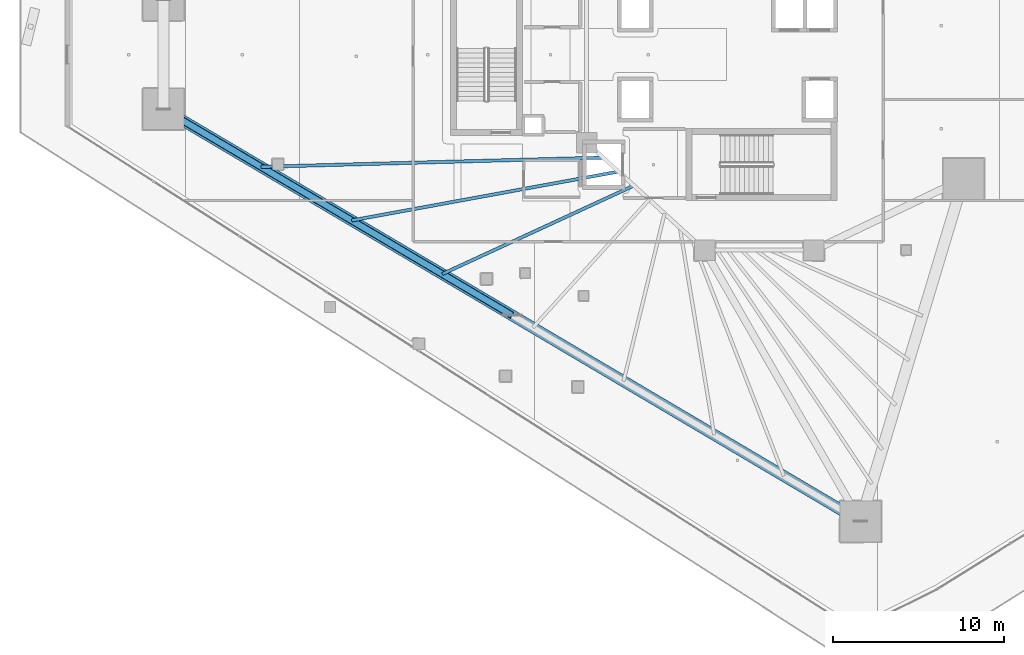
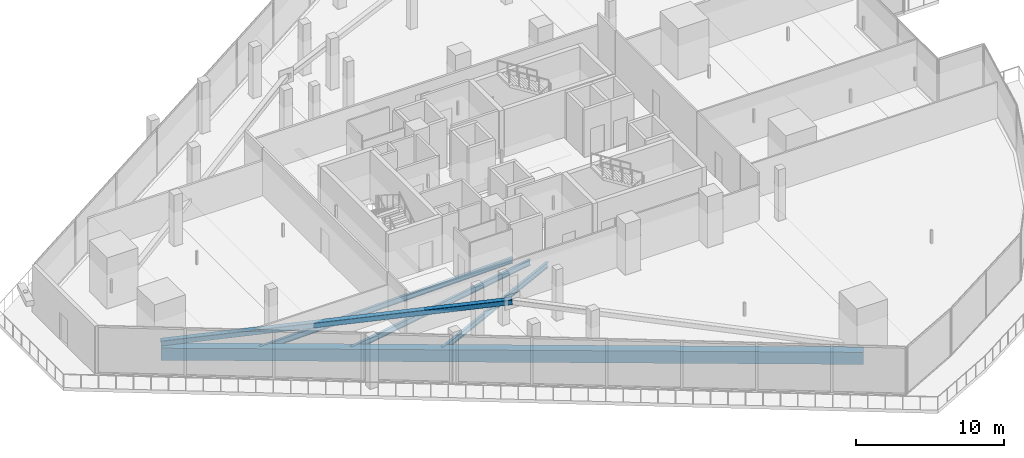
# One storey, part 6 of 43: 4 beams, 1 member.
"""IFC4 building model written with IfcOpenShell, lengths in metres."""

from ifc_helpers import new_model, si_unit, direction, frame, origin, origin_2d, place, context, subcontext, project, spatial, rectangle, hollow_rectangle, i_section, extrude, material, material_profile, profile_set, type_object, element, save


model = new_model("IFC4")

# Units and contexts
model_context = context("Model", 3, precision=1e-05, world=origin(), true_north=direction((0.0, 1.0)))
body_context = subcontext(model_context, "Body", "Model", "MODEL_VIEW")
ifc_project = project(units=[si_unit("LENGTHUNIT", "METRE"), si_unit("AREAUNIT", "SQUARE_METRE"), si_unit("VOLUMEUNIT", "CUBIC_METRE"), si_unit("PLANEANGLEUNIT", "RADIAN"), si_unit("MASSUNIT", "GRAM", prefix="KILO")], contexts=[model_context])

# Site, building, storey
site_placement = place(None, origin())
site = spatial("IfcSite", under=ifc_project, at=site_placement, CompositionType="ELEMENT")
building_placement = place(site_placement, origin())
building = spatial("IfcBuilding", under=site, at=building_placement, Name="Qorvath Tower", CompositionType="ELEMENT")
storey_placement = place(building_placement, frame((0.0, 0.0, 36.60009765625)))
storey = spatial("IfcBuildingStorey", under=building, at=storey_placement, Name="L07", CompositionType="ELEMENT", Elevation=36.60009765625)

# Beams
ifc_material_1 = material(Name="Steel ASTM A992 Grade 50", Category="steel")
ifc_material_profile_1 = material_profile(ifc_material_1, i_section(OverallWidth=0.18994140625, OverallDepth=0.45703125, WebThickness=0.009033203125, FlangeThickness=0.014404296875, FilletRadius=0.011962890625, at=origin_2d()), Name="W18x50")
ifc_profile_set_1 = profile_set([ifc_material_profile_1], Name="Steel ASTM A992 Grade 50")
beam_type_1 = type_object("IfcBeamType", Name="BM-FJ2", PredefinedType="JOIST", material=ifc_profile_set_1)
beam_1_placement = place(storey_placement, frame((-29.533935546875, -6.031982421875, -0.508544921875), z_axis=(-0.999634925413, -0.02701880631, 0.0), x_axis=(0.02701880631, -0.999634925413, 0.0)))
element("IfcBeam", 1, at=beam_1_placement, inside=storey, type_object=beam_type_1, Name="Composite Floor Joist SW1 L07", PredefinedType="JOIST", context=body_context, shape_type="SweptSolid", body=[
    extrude(i_section(OverallWidth=0.18994140625, OverallDepth=0.45703125, WebThickness=0.009033203125, FlangeThickness=0.014404296875, FilletRadius=0.011962890625, at=origin_2d()), origin(), (0.0, 0.0, 1.0), 20.041748046875),
])
beam_2_placement = place(storey_placement, frame((-28.636962890625, -6.85107421875, -0.508544921875), z_axis=(-0.983656498786, -0.180055248176, 0.0), x_axis=(0.180055248176, -0.983656498786, 0.0)))
element("IfcBeam", 2, at=beam_2_placement, inside=storey, type_object=beam_type_1, Name="Composite Floor Joist SW2 L07", PredefinedType="JOIST", context=body_context, shape_type="SweptSolid", body=[
    extrude(i_section(OverallWidth=0.18994140625, OverallDepth=0.45703125, WebThickness=0.009033203125, FlangeThickness=0.014404296875, FilletRadius=0.011962890625, at=origin_2d()), origin(), (0.0, 0.0, 1.0), 15.884521484375),
])
beam_3_placement = place(storey_placement, frame((-27.739990234375, -7.669921875, -0.508544921875), z_axis=(-0.907881281747, -0.419227358665, 0.0), x_axis=(0.419227358665, -0.907881281747, 0.0)))
element("IfcBeam", 3, at=beam_3_placement, inside=storey, type_object=beam_type_1, Name="Composite Floor Joist SW3 L07", PredefinedType="JOIST", context=body_context, shape_type="SweptSolid", body=[
    extrude(i_section(OverallWidth=0.18994140625, OverallDepth=0.45703125, WebThickness=0.009033203125, FlangeThickness=0.014404296875, FilletRadius=0.011962890625, at=origin_2d()), origin(), (0.0, 0.0, 1.0), 12.353515625),
])
ifc_material_2 = material(Name="Concrete C50/60", Category="concrete")
ifc_material_profile_2 = material_profile(ifc_material_2, rectangle(XDim=0.64990234375, YDim=1.0, at=origin_2d()), Name="RCB 1000x650")
ifc_profile_set_2 = profile_set([ifc_material_profile_2], Name="Concrete C50/60")
beam_type_2 = type_object("IfcBeamType", Name="BM-RCB1", PredefinedType="SPANDREL", material=ifc_profile_set_2)
beam_4_placement = place(storey_placement, frame((-55.282958984375, -3.194580078125, -0.780029296875), z_axis=(0.860777360917, -0.508981664633, 0.0), x_axis=(0.508981664633, 0.860777360917, 0.0)))
element("IfcBeam", 4, at=beam_4_placement, inside=storey, type_object=beam_type_2, Name="Perimeter Loggia Frame Beam MC2-MC3 L07", PredefinedType="SPANDREL", context=body_context, shape_type="SweptSolid", body=[
    extrude(rectangle(XDim=0.64990234375, YDim=1.0, at=origin_2d()), origin(), (0.0, 0.0, 1.0), 47.420654296875),
])

# Member
ifc_material_3 = material(Name="Steel ASTM A500 Grade C", Category="steel")
ifc_material_profile_3 = material_profile(ifc_material_3, hollow_rectangle(XDim=0.406494140625, YDim=0.406494140625, WallThickness=0.015869140625, InnerFilletRadius=0.015869140625, OuterFilletRadius=0.03173828125, at=origin_2d()), Name="HSS 406x406x16")
ifc_profile_set_3 = profile_set([ifc_material_profile_3], Name="Steel ASTM A500 Grade C")
member_type = type_object("IfcMemberType", Name="MEM-MB1", PredefinedType="BRACE", material=ifc_profile_set_3)
member_placement = place(storey_placement, frame((-55.282958984375, -3.194580078125, 0.0), z_axis=(0.851182571361, -0.503311231218, 0.148882620681), x_axis=(0.50898392026, 0.86077602715, 0.0)))
element("IfcMember", 5, at=member_placement, inside=storey, type_object=member_type, Name="Perimeter Chevron Brace L07-2A", PredefinedType="BRACE", context=body_context, shape_type="SweptSolid", body=[
    extrude(hollow_rectangle(XDim=0.406494140625, YDim=0.406494140625, WallThickness=0.015869140625, InnerFilletRadius=0.015869140625, OuterFilletRadius=0.03173828125, at=origin_2d()), origin(), (0.0, 0.0, 1.0), 23.9775390625),
])

save(model, "model.ifc")
